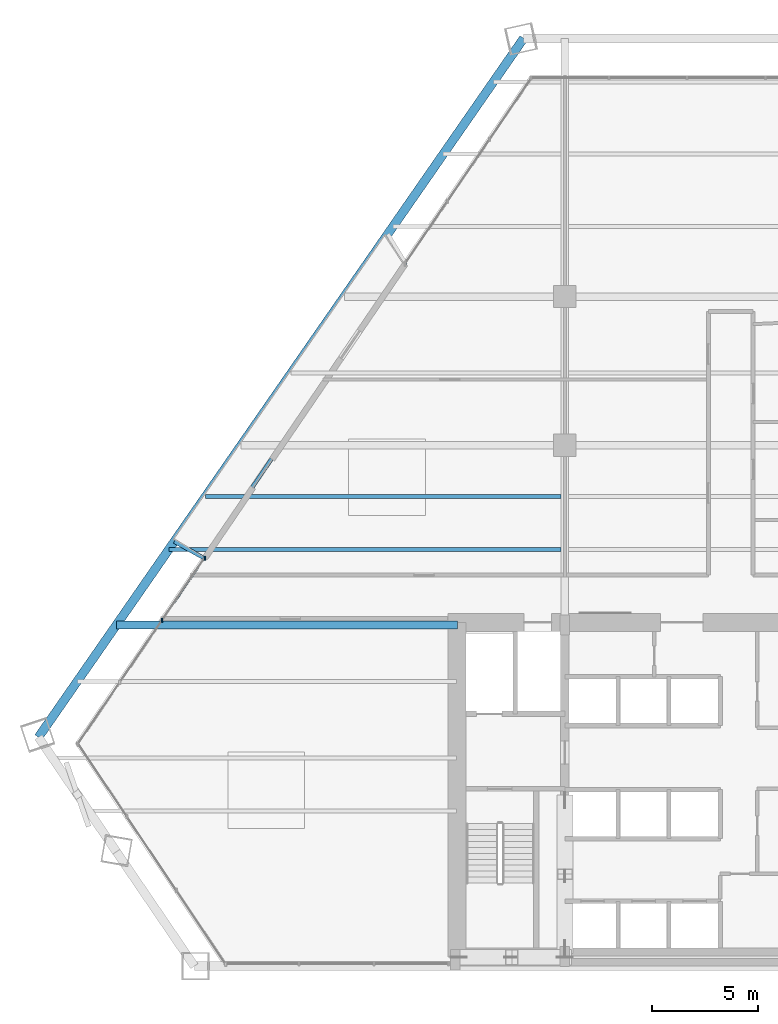
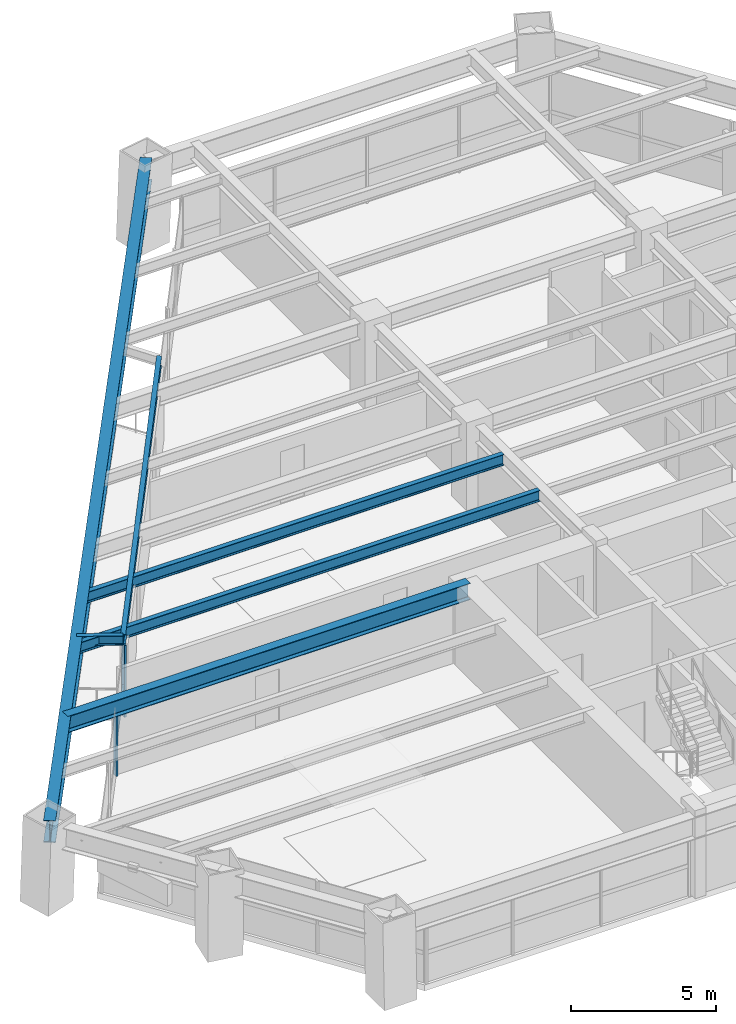
# One storey, part 4 of 14: 6 beams, 3 members, 1 element without a shape of its own.
"""IFC4 building model written with IfcOpenShell, lengths in metres."""

from ifc_helpers import new_model, si_unit, direction, frame, origin, origin_2d, place, context, subcontext, project, spatial, rectangle, i_section, extrude, source, transform, mapped, material, material_profile, profile_set, type_object, type_shapes, element, aggregate, save


model = new_model("IFC4")

# Units and contexts
model_context = context("Model", 3, precision=1e-05, world=origin(), true_north=direction((0.0, 1.0)))
body_context = subcontext(model_context, "Body", "Model", "MODEL_VIEW")
ifc_project = project(units=[si_unit("LENGTHUNIT", "METRE"), si_unit("AREAUNIT", "SQUARE_METRE"), si_unit("VOLUMEUNIT", "CUBIC_METRE"), si_unit("PLANEANGLEUNIT", "RADIAN"), si_unit("MASSUNIT", "GRAM", prefix="KILO")], contexts=[model_context])

# Site, building, storey
site_placement = place(None, origin())
site = spatial("IfcSite", under=ifc_project, at=site_placement, CompositionType="ELEMENT")
building_placement = place(site_placement, origin())
building = spatial("IfcBuilding", under=site, at=building_placement, Name="Varnakhor Terracotta Tower", CompositionType="ELEMENT")
storey_placement = place(building_placement, frame((0.0, 0.0, 49.699951171875)))
storey = spatial("IfcBuildingStorey", under=building, at=storey_placement, Name="L11", CompositionType="ELEMENT", Elevation=49.699951171875)

# Beams
ifc_material_1 = material(Name="Steel S355", Category="steel")
ifc_material_profile_1 = material_profile(ifc_material_1, i_section(OverallWidth=0.41796875, OverallDepth=0.927001953125, WebThickness=0.01904296875, FlangeThickness=0.031982421875, FilletRadius=0.01806640625, at=origin_2d()), Name="W36X231")
ifc_profile_set_1 = profile_set([ifc_material_profile_1], Name="Steel S355")
beam_type_1 = type_object("IfcBeamType", Name="BM-W36X231", PredefinedType="BEAM", material=ifc_profile_set_1)
shared_shape_1 = source(origin(), body_context, "Body", "SweptSolid", [
    extrude(i_section(OverallWidth=0.41796875, OverallDepth=0.927001953125, WebThickness=0.01904296875, FlangeThickness=0.031982421875, FilletRadius=0.01806640625, at=origin_2d()), origin(), (0.0, 0.0, 1.0), 40.024169921875),
])
beam_1_placement = place(storey_placement, frame((-7.441650390625, 43.647705078125, 2.986572265625), z_axis=(-0.570267658347, -0.82145894471, 0.0), x_axis=(0.82145894471, -0.570267658347, 0.0)))
element("IfcBeam", 1, at=beam_1_placement, inside=storey, type_object=beam_type_1, Name="L11 Perimeter Spandrel 6", PredefinedType="BEAM", context=body_context, shape_type="MappedRepresentation", body=[
    mapped(shared_shape_1, transform((0.0, 0.0, 0.0), scale=1.0)),
])
ifc_material_profile_2 = material_profile(ifc_material_1, i_section(OverallWidth=0.179931640625, OverallDepth=0.39990234375, WebThickness=0.008544921875, FlangeThickness=0.013427734375, FilletRadius=0.01806640625, at=origin_2d()), Name="IPE400")
ifc_profile_set_2 = profile_set([ifc_material_profile_2], Name="Steel S355")
beam_type_2 = type_object("IfcBeamType", Name="JST-IPE400", PredefinedType="JOIST", material=ifc_profile_set_2)
shared_shape_2 = source(origin(), body_context, "Body", "SweptSolid", [
    extrude(i_section(OverallWidth=0.179931640625, OverallDepth=0.39990234375, WebThickness=0.008544921875, FlangeThickness=0.013427734375, FilletRadius=0.01806640625, at=origin_2d()), origin(), (0.0, 0.0, 1.0), 16.815185546875),
])
beam_2_placement = place(storey_placement, frame((-13.0126953125, 33.0927734375, 3.25), z_axis=(-0.56276227077, -0.826618791583, 0.0), x_axis=(0.826618791583, -0.56276227077, 0.0)))
element("IfcBeam", 2, at=beam_2_placement, inside=storey, type_object=beam_type_2, Name="L11 Loggia Edge Beam 2", PredefinedType="JOIST", context=body_context, shape_type="MappedRepresentation", body=[
    mapped(shared_shape_2, transform((0.0, 0.0, 0.0), scale=1.0)),
])
ifc_material_profile_3 = material_profile(ifc_material_1, i_section(OverallWidth=0.35498046875, OverallDepth=0.695068359375, WebThickness=0.014892578125, FlangeThickness=0.02490234375, FilletRadius=0.01806640625, at=origin_2d()), Name="W27X146")
ifc_profile_set_3 = profile_set([ifc_material_profile_3], Name="Steel S355")
beam_type_3 = type_object("IfcBeamType", Name="BM-W27X146", PredefinedType="BEAM", material=ifc_profile_set_3)
shared_shape_3 = source(origin(), body_context, "Body", "SweptSolid", [
    extrude(i_section(OverallWidth=0.35498046875, OverallDepth=0.695068359375, WebThickness=0.014892578125, FlangeThickness=0.02490234375, FilletRadius=0.01806640625, at=origin_2d()), origin(), (0.0, 0.0, 1.0), 16.050048828125),
])
beam_3_placement = place(storey_placement, frame((-26.60009765625, 16.050048828125, 3.1025390625), z_axis=(1.0, 0.0, 0.0), x_axis=(0.0, 1.0, 0.0)))
element("IfcBeam", 3, at=beam_3_placement, inside=storey, type_object=beam_type_3, Name="L11 Wing Girder W", PredefinedType="BEAM", context=body_context, shape_type="MappedRepresentation", body=[
    mapped(shared_shape_3, transform((0.0, 0.0, 0.0), scale=1.0)),
])
ifc_material_profile_4 = material_profile(ifc_material_1, i_section(OverallWidth=0.19189453125, OverallDepth=0.462890625, WebThickness=0.010498046875, FlangeThickness=0.017578125, FilletRadius=0.01806640625, at=origin_2d()), Name="W18X60")
ifc_profile_set_4 = profile_set([ifc_material_profile_4], Name="Steel S355")
beam_type_4 = type_object("IfcBeamType", Name="JST-W18X60", PredefinedType="JOIST", material=ifc_profile_set_4)
shared_shape_4 = source(origin(), body_context, "Body", "SweptSolid", [
    extrude(i_section(OverallWidth=0.19189453125, OverallDepth=0.462890625, WebThickness=0.010498046875, FlangeThickness=0.017578125, FilletRadius=0.01806640625, at=origin_2d()), origin(), (0.0, 0.0, 1.0), 18.462158203125),
])
beam_4_placement = place(storey_placement, frame((-24.1357421875, 19.60009765625, 3.218505859375), z_axis=(1.0, 0.0, 0.0), x_axis=(0.0, 1.0, 0.0)))
element("IfcBeam", 4, at=beam_4_placement, inside=storey, type_object=beam_type_4, Name="L11 Composite Floor Joist 4-1", PredefinedType="JOIST", context=body_context, shape_type="MappedRepresentation", body=[
    mapped(shared_shape_4, transform((0.0, 0.0, 0.0), scale=1.0)),
])
shared_shape_5 = source(origin(), body_context, "Body", "SweptSolid", [
    extrude(i_section(OverallWidth=0.19189453125, OverallDepth=0.462890625, WebThickness=0.010498046875, FlangeThickness=0.017578125, FilletRadius=0.01806640625, at=origin_2d()), origin(), (0.0, 0.0, 1.0), 16.7265625),
])
beam_5_placement = place(storey_placement, frame((-22.400146484375, 22.10009765625, 3.218505859375), z_axis=(1.0, 0.0, 0.0), x_axis=(0.0, 1.0, 0.0)))
element("IfcBeam", 5, at=beam_5_placement, inside=storey, type_object=beam_type_4, Name="L11 Composite Floor Joist 5-1", PredefinedType="JOIST", context=body_context, shape_type="MappedRepresentation", body=[
    mapped(shared_shape_5, transform((0.0, 0.0, 0.0), scale=1.0)),
])

# Curtain wall, members
ifc_material_2 = material(Name="Anodised Aluminium Curtain Wall System", Category="aluminium")
curtain_wall_type = type_object("IfcCurtainWallType", Name="CW-SYS-LOW-OFFICE", PredefinedType="NOTDEFINED", material=ifc_material_2)
curtain_wall_placement = place(storey_placement, origin())
curtain_wall = element("IfcCurtainWall", 6, at=curtain_wall_placement, inside=storey, type_object=curtain_wall_type, Name="L11 W Facet Curtain Wall 1", PredefinedType="NOTDEFINED")
ifc_material_3 = material(Name="Anodised Aluminium 6063-T6", Category="aluminium")
ifc_material_profile_5 = material_profile(ifc_material_3, rectangle(XDim=0.074951171875, YDim=0.18505859375, at=origin_2d()), Name="ALU MULLION 75x185")
ifc_profile_set_5 = profile_set([ifc_material_profile_5], Name="Anodised Aluminium 6063-T6")
member_type_1 = type_object("IfcMemberType", Name="CWM-02", PredefinedType="MULLION", material=ifc_profile_set_5)
shared_shape_6 = source(origin(), body_context, "Body", "SweptSolid", [
    extrude(rectangle(XDim=0.074951171875, YDim=0.18505859375, at=origin_2d()), origin(), (0.0, 0.0, 1.0), 3.030029296875),
])
type_shapes(member_type_1, [shared_shape_6])
member_1_placement = place(storey_placement, frame((-24.455322265625, 16.265380859375, 0.0), z_axis=(0.0, 0.0, 1.0), x_axis=(1.0, 0.0, 0.0)))
member_1 = element("IfcMember", 7, at=member_1_placement, type_object=member_type_1, Name="L11 W Facet Curtain Wall 1 Mullion 3", PredefinedType="MULLION", context=body_context, shape_type="MappedRepresentation", body=[
    mapped(shared_shape_6, transform((0.0, 0.0, 0.0), scale=1.0)),
])
member_2_placement = place(storey_placement, frame((-22.434814453125, 19.196533203125, 0.0), z_axis=(0.0, 0.0, 1.0), x_axis=(1.0, 0.0, 0.0)))
member_2 = element("IfcMember", 8, at=member_2_placement, type_object=member_type_1, Name="L11 W Loggia Jamb Closure Mullion 1", PredefinedType="MULLION", context=body_context, shape_type="MappedRepresentation", body=[
    mapped(shared_shape_6, transform((0.0, 0.0, 0.0), scale=1.0)),
])
ifc_material_profile_6 = material_profile(ifc_material_3, rectangle(XDim=0.074951171875, YDim=0.1650390625, at=origin_2d()), Name="ALU TRANSOM 75x165")
ifc_profile_set_6 = profile_set([ifc_material_profile_6], Name="Anodised Aluminium 6063-T6")
member_type_2 = type_object("IfcMemberType", Name="CWT-02", PredefinedType="USERDEFINED", material=ifc_profile_set_6)
shared_shape_7 = source(origin(), body_context, "Body", "SweptSolid", [
    extrude(rectangle(XDim=0.074951171875, YDim=0.1650390625, at=origin_2d()), origin(), (0.0, 0.0, 1.0), 3.530029296875),
])
member_3_placement = place(storey_placement, frame((-24.455322265625, 16.265380859375, 1.272705078125), z_axis=(0.562892520036, 0.826530102832, 0.0), x_axis=(-0.826530102832, 0.562892520036, 0.0)))
member_3 = element("IfcMember", 9, at=member_3_placement, type_object=member_type_2, Name="L11 W Facet Curtain Wall 1 Transom 3", ObjectType="TRANSOM", PredefinedType="USERDEFINED", context=body_context, shape_type="MappedRepresentation", body=[
    mapped(shared_shape_7, transform((0.0, 0.0, 0.0), scale=1.0)),
])
aggregate(curtain_wall, [member_1, member_3, member_2])

# Beam
shared_shape_8 = source(origin(), body_context, "Body", "SweptSolid", [
    extrude(i_section(OverallWidth=0.179931640625, OverallDepth=0.39990234375, WebThickness=0.008544921875, FlangeThickness=0.013427734375, FilletRadius=0.01806640625, at=origin_2d()), origin(), (0.0, 0.0, 1.0), 1.603515625),
])
beam_6_placement = place(storey_placement, frame((-22.4755859375, 19.193115234375, 3.25), z_axis=(-0.872926318084, 0.487852071017, 0.0), x_axis=(-0.487852071017, -0.872926318084, 0.0)))
element("IfcBeam", 10, at=beam_6_placement, inside=storey, type_object=beam_type_2, Name="L12 W Loggia Tie Beam 1", PredefinedType="JOIST", context=body_context, shape_type="MappedRepresentation", body=[
    mapped(shared_shape_8, transform((0.0, 0.0, 0.0), scale=1.0)),
])

save(model, "model.ifc")
